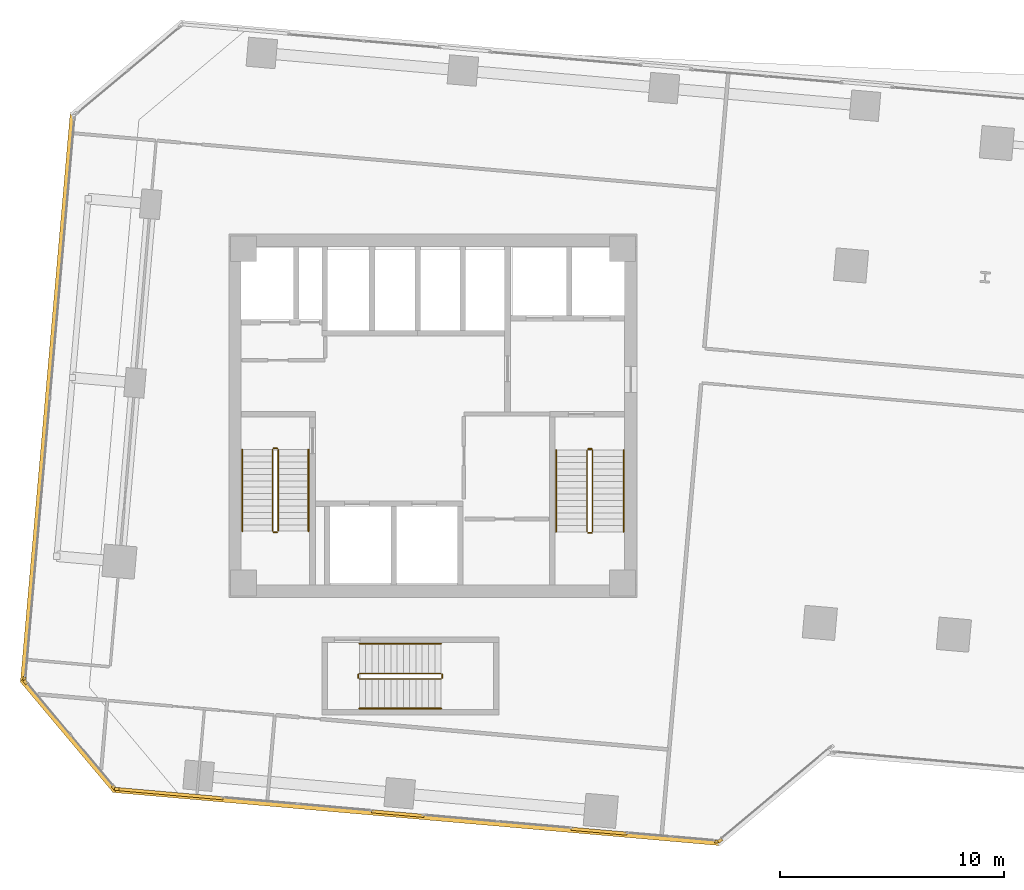
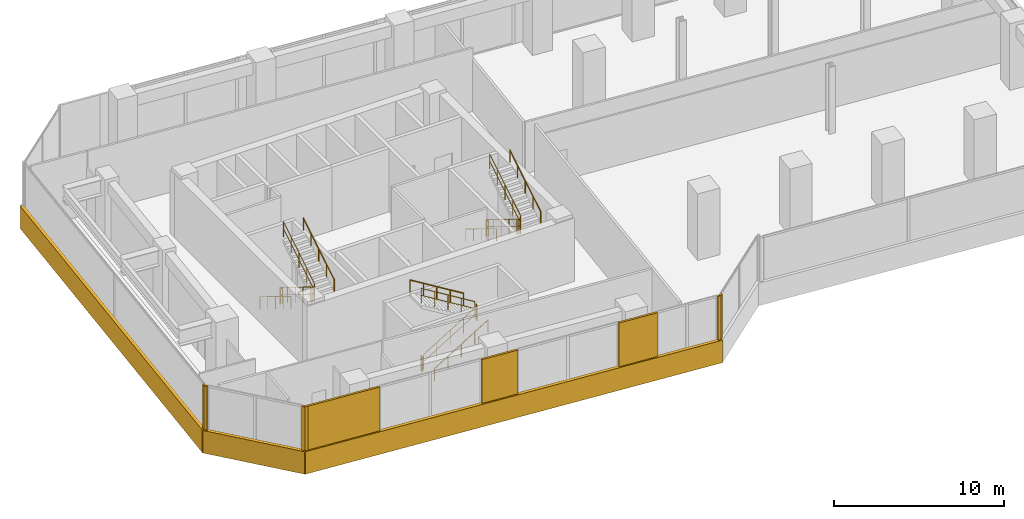
# One storey, part 22 of 24: 18 railings, 12 coverings.
"""IFC4 building model written with IfcOpenShell, lengths in metres."""

from ifc_helpers import new_model, si_unit, direction, frame, origin, origin_2d, place, context, subcontext, project, spatial, rectangle, circle, extrude, source, transform, mapped, material, layer, layer_set, type_object, element, save


model = new_model("IFC4")

# Units and contexts
model_context = context("Model", 3, precision=1e-05, world=origin(), true_north=direction((0.0, 1.0)))
body_context = subcontext(model_context, "Body", "Model", "MODEL_VIEW")
ifc_project = project(units=[si_unit("LENGTHUNIT", "METRE"), si_unit("AREAUNIT", "SQUARE_METRE"), si_unit("VOLUMEUNIT", "CUBIC_METRE"), si_unit("PLANEANGLEUNIT", "RADIAN"), si_unit("MASSUNIT", "GRAM", prefix="KILO")], contexts=[model_context])

# Site, building, storey
site_placement = place(None, origin())
site = spatial("IfcSite", under=ifc_project, at=site_placement, CompositionType="ELEMENT")
building_placement = place(site_placement, origin())
building = spatial("IfcBuilding", under=site, at=building_placement, Name="Torre Montelarca", CompositionType="ELEMENT")
storey_placement = place(building_placement, frame((0.0, 0.0, 47.199951171875)))
storey = spatial("IfcBuildingStorey", under=building, at=storey_placement, Name="L10", CompositionType="ELEMENT", Elevation=47.199951171875)

# Railings
ifc_material_1 = material(Name="Powder-coated steel ASTM A500 Grade C", Category="steel")
railing_type_1 = type_object("IfcRailingType", Name="RL-GUARD-1100", PredefinedType="BALUSTRADE", material=ifc_material_1)
railing_1_placement = place(storey_placement, frame((10.85009765625, 30.5, 0.17138671875)))
element("IfcRailing", 1, at=railing_1_placement, inside=storey, type_object=railing_type_1, Name="L10 ST1 stair guard 1", PredefinedType="BALUSTRADE", context=body_context, shape_type="SweptSolid", body=[
    extrude(circle(Radius=0.02392578125, at=origin_2d()), frame((0.0, 0.0, 1.076171875), z_axis=(0.0, -0.852824790078, 0.522197163366), x_axis=(1.0, 0.0, 0.0)), (0.0, 0.0, 1.0), 4.26806640625),
    extrude(circle(Radius=0.02099609375, at=origin_2d()), frame((0.0, 0.0, 0.572021484375), z_axis=(0.0, -0.852824790078, 0.522197163366), x_axis=(1.0, 0.0, 0.0)), (0.0, 0.0, 1.0), 4.26806640625),
    extrude(circle(Radius=0.02099609375, at=origin_2d()), origin(), (0.0, 0.0, 1.0), 1.052001953125),
    extrude(circle(Radius=0.02099609375, at=origin_2d()), frame((0.0, -0.909912109375, 0.55712890625)), (0.0, 0.0, 1.0), 1.052001953125),
    extrude(circle(Radius=0.02099609375, at=origin_2d()), frame((0.0, -1.81982421875, 1.1142578125)), (0.0, 0.0, 1.0), 1.052001953125),
    extrude(circle(Radius=0.02099609375, at=origin_2d()), frame((0.0, -2.72998046875, 1.671630859375)), (0.0, 0.0, 1.0), 1.052001953125),
    extrude(circle(Radius=0.02099609375, at=origin_2d()), frame((0.0, -3.639892578125, 2.228759765625)), (0.0, 0.0, 1.0), 1.052001953125),
])
railing_2_placement = place(storey_placement, frame((10.89990234375, 26.81005859375, 2.400146484375)))
element("IfcRailing", 2, at=railing_2_placement, inside=storey, type_object=railing_type_1, Name="L10 ST1 stair guard 2", PredefinedType="BALUSTRADE", context=body_context, shape_type="SweptSolid", body=[
    extrude(circle(Radius=0.02392578125, at=origin_2d()), frame((0.0, 0.0, 1.076171875), z_axis=(1.0, 0.0, 0.0), x_axis=(0.0, 1.0, 0.0)), (0.0, 0.0, 1.0), 0.150146484375),
    extrude(circle(Radius=0.02099609375, at=origin_2d()), frame((0.0, 0.0, 0.572021484375), z_axis=(1.0, 0.0, 0.0), x_axis=(0.0, 1.0, 0.0)), (0.0, 0.0, 1.0), 0.150146484375),
    extrude(circle(Radius=0.02099609375, at=origin_2d()), origin(), (0.0, 0.0, 1.0), 1.052001953125),
    extrude(circle(Radius=0.02099609375, at=origin_2d()), frame((0.150146484375, 0.0, 0.0)), (0.0, 0.0, 1.0), 1.052001953125),
])
railing_3_placement = place(storey_placement, frame((11.10009765625, 26.860107421875, 2.571533203125)))
element("IfcRailing", 3, at=railing_3_placement, inside=storey, type_object=railing_type_1, Name="L10 ST1 stair guard 3", PredefinedType="BALUSTRADE", context=body_context, shape_type="SweptSolid", body=[
    extrude(circle(Radius=0.02392578125, at=origin_2d()), frame((0.0, 0.0, 1.076171875), z_axis=(0.0, 0.852850264322, 0.5221555579), x_axis=(-1.0, 0.0, 0.0)), (0.0, 0.0, 1.0), 4.267822265625),
    extrude(circle(Radius=0.02099609375, at=origin_2d()), frame((0.0, 0.0, 0.572021484375), z_axis=(0.0, 0.852850264322, 0.5221555579), x_axis=(-1.0, 0.0, 0.0)), (0.0, 0.0, 1.0), 4.267822265625),
    extrude(circle(Radius=0.02099609375, at=origin_2d()), origin(), (0.0, 0.0, 1.0), 1.052001953125),
    extrude(circle(Radius=0.02099609375, at=origin_2d()), frame((0.0, 0.909912109375, 0.55712890625)), (0.0, 0.0, 1.0), 1.052001953125),
    extrude(circle(Radius=0.02099609375, at=origin_2d()), frame((0.0, 1.81982421875, 1.1142578125)), (0.0, 0.0, 1.0), 1.052001953125),
    extrude(circle(Radius=0.02099609375, at=origin_2d()), frame((0.0, 2.72998046875, 1.67138671875)), (0.0, 0.0, 1.0), 1.052001953125),
    extrude(circle(Radius=0.02099609375, at=origin_2d()), frame((0.0, 3.639892578125, 2.228515625)), (0.0, 0.0, 1.0), 1.052001953125),
])
railing_4_placement = place(storey_placement, frame((10.89990234375, 30.550048828125, 0.0)))
element("IfcRailing", 4, at=railing_4_placement, inside=storey, type_object=railing_type_1, Name="L10 ST1 stair guard 4", PredefinedType="BALUSTRADE", context=body_context, shape_type="SweptSolid", body=[
    extrude(circle(Radius=0.02392578125, at=origin_2d()), frame((0.0, 0.0, 1.076171875), z_axis=(1.0, 0.0, 0.0), x_axis=(0.0, 1.0, 0.0)), (0.0, 0.0, 1.0), 0.150146484375),
    extrude(circle(Radius=0.02099609375, at=origin_2d()), frame((0.0, 0.0, 0.572021484375), z_axis=(1.0, 0.0, 0.0), x_axis=(0.0, 1.0, 0.0)), (0.0, 0.0, 1.0), 0.150146484375),
    extrude(circle(Radius=0.02099609375, at=origin_2d()), origin(), (0.0, 0.0, 1.0), 1.052001953125),
    extrude(circle(Radius=0.02099609375, at=origin_2d()), frame((0.150146484375, 0.0, 0.0)), (0.0, 0.0, 1.0), 1.052001953125),
])
railing_5_placement = place(storey_placement, frame((24.8701171875, 30.469970703125, 0.17138671875)))
element("IfcRailing", 5, at=railing_5_placement, inside=storey, type_object=railing_type_1, Name="L10 ST2 stair guard 1", PredefinedType="BALUSTRADE", context=body_context, shape_type="SweptSolid", body=[
    extrude(circle(Radius=0.02392578125, at=origin_2d()), frame((0.0, 0.0, 1.076171875), z_axis=(0.0, -0.852824790078, 0.522197163366), x_axis=(1.0, 0.0, 0.0)), (0.0, 0.0, 1.0), 4.26806640625),
    extrude(circle(Radius=0.02099609375, at=origin_2d()), frame((0.0, 0.0, 0.572021484375), z_axis=(0.0, -0.852824790078, 0.522197163366), x_axis=(1.0, 0.0, 0.0)), (0.0, 0.0, 1.0), 4.26806640625),
    extrude(circle(Radius=0.02099609375, at=origin_2d()), origin(), (0.0, 0.0, 1.0), 1.052001953125),
    extrude(circle(Radius=0.02099609375, at=origin_2d()), frame((0.0, -0.909912109375, 0.55712890625)), (0.0, 0.0, 1.0), 1.052001953125),
    extrude(circle(Radius=0.02099609375, at=origin_2d()), frame((0.0, -1.81982421875, 1.1142578125)), (0.0, 0.0, 1.0), 1.052001953125),
    extrude(circle(Radius=0.02099609375, at=origin_2d()), frame((0.0, -2.72998046875, 1.671630859375)), (0.0, 0.0, 1.0), 1.052001953125),
    extrude(circle(Radius=0.02099609375, at=origin_2d()), frame((0.0, -3.639892578125, 2.228759765625)), (0.0, 0.0, 1.0), 1.052001953125),
])
railing_6_placement = place(storey_placement, frame((24.919921875, 26.780029296875, 2.400146484375)))
element("IfcRailing", 6, at=railing_6_placement, inside=storey, type_object=railing_type_1, Name="L10 ST2 stair guard 2", PredefinedType="BALUSTRADE", context=body_context, shape_type="SweptSolid", body=[
    extrude(circle(Radius=0.02392578125, at=origin_2d()), frame((0.0, 0.0, 1.076171875), z_axis=(1.0, 0.0, 0.0), x_axis=(0.0, 1.0, 0.0)), (0.0, 0.0, 1.0), 0.150146484375),
    extrude(circle(Radius=0.02099609375, at=origin_2d()), frame((0.0, 0.0, 0.572021484375), z_axis=(1.0, 0.0, 0.0), x_axis=(0.0, 1.0, 0.0)), (0.0, 0.0, 1.0), 0.150146484375),
    extrude(circle(Radius=0.02099609375, at=origin_2d()), origin(), (0.0, 0.0, 1.0), 1.052001953125),
    extrude(circle(Radius=0.02099609375, at=origin_2d()), frame((0.150146484375, 0.0, 0.0)), (0.0, 0.0, 1.0), 1.052001953125),
])
railing_7_placement = place(storey_placement, frame((25.1201171875, 26.830078125, 2.571533203125)))
element("IfcRailing", 7, at=railing_7_placement, inside=storey, type_object=railing_type_1, Name="L10 ST2 stair guard 3", PredefinedType="BALUSTRADE", context=body_context, shape_type="SweptSolid", body=[
    extrude(circle(Radius=0.02392578125, at=origin_2d()), frame((0.0, 0.0, 1.076171875), z_axis=(0.0, 0.852850264322, 0.5221555579), x_axis=(-1.0, 0.0, 0.0)), (0.0, 0.0, 1.0), 4.267822265625),
    extrude(circle(Radius=0.02099609375, at=origin_2d()), frame((0.0, 0.0, 0.572021484375), z_axis=(0.0, 0.852850264322, 0.5221555579), x_axis=(-1.0, 0.0, 0.0)), (0.0, 0.0, 1.0), 4.267822265625),
    extrude(circle(Radius=0.02099609375, at=origin_2d()), origin(), (0.0, 0.0, 1.0), 1.052001953125),
    extrude(circle(Radius=0.02099609375, at=origin_2d()), frame((0.0, 0.909912109375, 0.55712890625)), (0.0, 0.0, 1.0), 1.052001953125),
    extrude(circle(Radius=0.02099609375, at=origin_2d()), frame((0.0, 1.81982421875, 1.1142578125)), (0.0, 0.0, 1.0), 1.052001953125),
    extrude(circle(Radius=0.02099609375, at=origin_2d()), frame((0.0, 2.72998046875, 1.67138671875)), (0.0, 0.0, 1.0), 1.052001953125),
    extrude(circle(Radius=0.02099609375, at=origin_2d()), frame((0.0, 3.639892578125, 2.228515625)), (0.0, 0.0, 1.0), 1.052001953125),
])
railing_8_placement = place(storey_placement, frame((24.919921875, 30.52001953125, 0.0)))
element("IfcRailing", 8, at=railing_8_placement, inside=storey, type_object=railing_type_1, Name="L10 ST2 stair guard 4", PredefinedType="BALUSTRADE", context=body_context, shape_type="SweptSolid", body=[
    extrude(circle(Radius=0.02392578125, at=origin_2d()), frame((0.0, 0.0, 1.076171875), z_axis=(1.0, 0.0, 0.0), x_axis=(0.0, 1.0, 0.0)), (0.0, 0.0, 1.0), 0.150146484375),
    extrude(circle(Radius=0.02099609375, at=origin_2d()), frame((0.0, 0.0, 0.572021484375), z_axis=(1.0, 0.0, 0.0), x_axis=(0.0, 1.0, 0.0)), (0.0, 0.0, 1.0), 0.150146484375),
    extrude(circle(Radius=0.02099609375, at=origin_2d()), origin(), (0.0, 0.0, 1.0), 1.052001953125),
    extrude(circle(Radius=0.02099609375, at=origin_2d()), frame((0.150146484375, 0.0, 0.0)), (0.0, 0.0, 1.0), 1.052001953125),
])
railing_9_placement = place(storey_placement, frame((14.719970703125, 20.27001953125, 0.17138671875)))
element("IfcRailing", 9, at=railing_9_placement, inside=storey, type_object=railing_type_1, Name="L10 ST3 stair guard 1", PredefinedType="BALUSTRADE", context=body_context, shape_type="SweptSolid", body=[
    extrude(circle(Radius=0.02392578125, at=origin_2d()), frame((0.0, 0.0, 1.076171875), z_axis=(0.852840387347, 0.0, 0.522171689878), x_axis=(0.0, 1.0, 0.0)), (0.0, 0.0, 1.0), 4.268310546875),
    extrude(circle(Radius=0.02099609375, at=origin_2d()), frame((0.0, 0.0, 0.572021484375), z_axis=(0.852840387347, 0.0, 0.522171689878), x_axis=(0.0, 1.0, 0.0)), (0.0, 0.0, 1.0), 4.268310546875),
    extrude(circle(Radius=0.02099609375, at=origin_2d()), origin(), (0.0, 0.0, 1.0), 1.052001953125),
    extrude(circle(Radius=0.02099609375, at=origin_2d()), frame((0.91015625, 0.0, 0.55712890625)), (0.0, 0.0, 1.0), 1.052001953125),
    extrude(circle(Radius=0.02099609375, at=origin_2d()), frame((1.820068359375, 0.0, 1.1142578125)), (0.0, 0.0, 1.0), 1.052001953125),
    extrude(circle(Radius=0.02099609375, at=origin_2d()), frame((2.72998046875, 0.0, 1.671630859375)), (0.0, 0.0, 1.0), 1.052001953125),
    extrude(circle(Radius=0.02099609375, at=origin_2d()), frame((3.64013671875, 0.0, 2.228759765625)), (0.0, 0.0, 1.0), 1.052001953125),
])
railing_10_placement = place(storey_placement, frame((18.409912109375, 20.320068359375, 2.400146484375)))
element("IfcRailing", 10, at=railing_10_placement, inside=storey, type_object=railing_type_1, Name="L10 ST3 stair guard 2", PredefinedType="BALUSTRADE", context=body_context, shape_type="SweptSolid", body=[
    extrude(circle(Radius=0.02392578125, at=origin_2d()), frame((0.0, 0.0, 1.076171875), z_axis=(0.0, 1.0, 0.0), x_axis=(-1.0, 0.0, 0.0)), (0.0, 0.0, 1.0), 0.14990234375),
    extrude(circle(Radius=0.02099609375, at=origin_2d()), frame((0.0, 0.0, 0.572021484375), z_axis=(0.0, 1.0, 0.0), x_axis=(-1.0, 0.0, 0.0)), (0.0, 0.0, 1.0), 0.14990234375),
    extrude(circle(Radius=0.02099609375, at=origin_2d()), origin(), (0.0, 0.0, 1.0), 1.052001953125),
    extrude(circle(Radius=0.02099609375, at=origin_2d()), frame((0.0, 0.14990234375, 0.0)), (0.0, 0.0, 1.0), 1.052001953125),
])
railing_11_placement = place(storey_placement, frame((18.360107421875, 20.52001953125, 2.571533203125)))
element("IfcRailing", 11, at=railing_11_placement, inside=storey, type_object=railing_type_1, Name="L10 ST3 stair guard 3", PredefinedType="BALUSTRADE", context=body_context, shape_type="SweptSolid", body=[
    extrude(circle(Radius=0.02392578125, at=origin_2d()), frame((0.0, 0.0, 1.076171875), z_axis=(-0.852865859571, 0.0, 0.52213008492), x_axis=(0.0, -1.0, 0.0)), (0.0, 0.0, 1.0), 4.26806640625),
    extrude(circle(Radius=0.02099609375, at=origin_2d()), frame((0.0, 0.0, 0.572021484375), z_axis=(-0.852865859571, 0.0, 0.52213008492), x_axis=(0.0, -1.0, 0.0)), (0.0, 0.0, 1.0), 4.26806640625),
    extrude(circle(Radius=0.02099609375, at=origin_2d()), origin(), (0.0, 0.0, 1.0), 1.052001953125),
    extrude(circle(Radius=0.02099609375, at=origin_2d()), frame((-0.91015625, 0.0, 0.55712890625)), (0.0, 0.0, 1.0), 1.052001953125),
    extrude(circle(Radius=0.02099609375, at=origin_2d()), frame((-1.820068359375, 0.0, 1.1142578125)), (0.0, 0.0, 1.0), 1.052001953125),
    extrude(circle(Radius=0.02099609375, at=origin_2d()), frame((-2.72998046875, 0.0, 1.67138671875)), (0.0, 0.0, 1.0), 1.052001953125),
    extrude(circle(Radius=0.02099609375, at=origin_2d()), frame((-3.64013671875, 0.0, 2.228515625)), (0.0, 0.0, 1.0), 1.052001953125),
])
railing_12_placement = place(storey_placement, frame((14.669921875, 20.320068359375, 0.0)))
element("IfcRailing", 12, at=railing_12_placement, inside=storey, type_object=railing_type_1, Name="L10 ST3 stair guard 4", PredefinedType="BALUSTRADE", context=body_context, shape_type="SweptSolid", body=[
    extrude(circle(Radius=0.02392578125, at=origin_2d()), frame((0.0, 0.0, 1.076171875), z_axis=(0.0, 1.0, 0.0), x_axis=(-1.0, 0.0, 0.0)), (0.0, 0.0, 1.0), 0.14990234375),
    extrude(circle(Radius=0.02099609375, at=origin_2d()), frame((0.0, 0.0, 0.572021484375), z_axis=(0.0, 1.0, 0.0), x_axis=(-1.0, 0.0, 0.0)), (0.0, 0.0, 1.0), 0.14990234375),
    extrude(circle(Radius=0.02099609375, at=origin_2d()), origin(), (0.0, 0.0, 1.0), 1.052001953125),
    extrude(circle(Radius=0.02099609375, at=origin_2d()), frame((0.0, 0.14990234375, 0.0)), (0.0, 0.0, 1.0), 1.052001953125),
])
ifc_material_2 = material(Name="Brushed stainless steel AISI 316", Category="steel")
railing_type_2 = type_object("IfcRailingType", Name="RL-HANDRAIL-900", PredefinedType="HANDRAIL", material=ifc_material_2)
railing_13_placement = place(storey_placement, frame((9.5, 30.5, 0.17138671875)))
element("IfcRailing", 13, at=railing_13_placement, inside=storey, type_object=railing_type_2, Name="L10 ST1 stair handrail 1", PredefinedType="HANDRAIL", context=body_context, shape_type="SweptSolid", body=[
    extrude(circle(Radius=0.02392578125, at=origin_2d()), frame((0.0, 0.0, 0.8759765625), z_axis=(0.0, -0.852824790078, 0.522197163366), x_axis=(1.0, 0.0, 0.0)), (0.0, 0.0, 1.0), 4.26806640625),
    extrude(circle(Radius=0.02099609375, at=origin_2d()), origin(), (0.0, 0.0, 1.0), 0.851806640625),
    extrude(circle(Radius=0.02099609375, at=origin_2d()), frame((0.0, -0.909912109375, 0.55712890625)), (0.0, 0.0, 1.0), 0.851806640625),
    extrude(circle(Radius=0.02099609375, at=origin_2d()), frame((0.0, -1.81982421875, 1.1142578125)), (0.0, 0.0, 1.0), 0.851806640625),
    extrude(circle(Radius=0.02099609375, at=origin_2d()), frame((0.0, -2.72998046875, 1.671630859375)), (0.0, 0.0, 1.0), 0.851806640625),
    extrude(circle(Radius=0.02099609375, at=origin_2d()), frame((0.0, -3.639892578125, 2.228759765625)), (0.0, 0.0, 1.0), 0.851806640625),
])
railing_14_placement = place(storey_placement, frame((12.449951171875, 26.860107421875, 2.571533203125)))
element("IfcRailing", 14, at=railing_14_placement, inside=storey, type_object=railing_type_2, Name="L10 ST1 stair handrail 2", PredefinedType="HANDRAIL", context=body_context, shape_type="SweptSolid", body=[
    extrude(circle(Radius=0.02392578125, at=origin_2d()), frame((0.0, 0.0, 0.8759765625), z_axis=(0.0, 0.852850264322, 0.5221555579), x_axis=(-1.0, 0.0, 0.0)), (0.0, 0.0, 1.0), 4.267822265625),
    extrude(circle(Radius=0.02099609375, at=origin_2d()), origin(), (0.0, 0.0, 1.0), 0.851806640625),
    extrude(circle(Radius=0.02099609375, at=origin_2d()), frame((0.0, 0.909912109375, 0.55712890625)), (0.0, 0.0, 1.0), 0.851806640625),
    extrude(circle(Radius=0.02099609375, at=origin_2d()), frame((0.0, 1.81982421875, 1.1142578125)), (0.0, 0.0, 1.0), 0.851806640625),
    extrude(circle(Radius=0.02099609375, at=origin_2d()), frame((0.0, 2.72998046875, 1.67138671875)), (0.0, 0.0, 1.0), 0.851806640625),
    extrude(circle(Radius=0.02099609375, at=origin_2d()), frame((0.0, 3.639892578125, 2.228515625)), (0.0, 0.0, 1.0), 0.851806640625),
])
railing_15_placement = place(storey_placement, frame((23.489990234375, 30.469970703125, 0.17138671875)))
element("IfcRailing", 15, at=railing_15_placement, inside=storey, type_object=railing_type_2, Name="L10 ST2 stair handrail 1", PredefinedType="HANDRAIL", context=body_context, shape_type="SweptSolid", body=[
    extrude(circle(Radius=0.02392578125, at=origin_2d()), frame((0.0, 0.0, 0.8759765625), z_axis=(0.0, -0.852824790078, 0.522197163366), x_axis=(1.0, 0.0, 0.0)), (0.0, 0.0, 1.0), 4.26806640625),
    extrude(circle(Radius=0.02099609375, at=origin_2d()), origin(), (0.0, 0.0, 1.0), 0.851806640625),
    extrude(circle(Radius=0.02099609375, at=origin_2d()), frame((0.0, -0.909912109375, 0.55712890625)), (0.0, 0.0, 1.0), 0.851806640625),
    extrude(circle(Radius=0.02099609375, at=origin_2d()), frame((0.0, -1.81982421875, 1.1142578125)), (0.0, 0.0, 1.0), 0.851806640625),
    extrude(circle(Radius=0.02099609375, at=origin_2d()), frame((0.0, -2.72998046875, 1.671630859375)), (0.0, 0.0, 1.0), 0.851806640625),
    extrude(circle(Radius=0.02099609375, at=origin_2d()), frame((0.0, -3.639892578125, 2.228759765625)), (0.0, 0.0, 1.0), 0.851806640625),
])
railing_16_placement = place(storey_placement, frame((26.5, 26.830078125, 2.571533203125)))
element("IfcRailing", 16, at=railing_16_placement, inside=storey, type_object=railing_type_2, Name="L10 ST2 stair handrail 2", PredefinedType="HANDRAIL", context=body_context, shape_type="SweptSolid", body=[
    extrude(circle(Radius=0.02392578125, at=origin_2d()), frame((0.0, 0.0, 0.8759765625), z_axis=(0.0, 0.852850264322, 0.5221555579), x_axis=(-1.0, 0.0, 0.0)), (0.0, 0.0, 1.0), 4.267822265625),
    extrude(circle(Radius=0.02099609375, at=origin_2d()), origin(), (0.0, 0.0, 1.0), 0.851806640625),
    extrude(circle(Radius=0.02099609375, at=origin_2d()), frame((0.0, 0.909912109375, 0.55712890625)), (0.0, 0.0, 1.0), 0.851806640625),
    extrude(circle(Radius=0.02099609375, at=origin_2d()), frame((0.0, 1.81982421875, 1.1142578125)), (0.0, 0.0, 1.0), 0.851806640625),
    extrude(circle(Radius=0.02099609375, at=origin_2d()), frame((0.0, 2.72998046875, 1.67138671875)), (0.0, 0.0, 1.0), 0.851806640625),
    extrude(circle(Radius=0.02099609375, at=origin_2d()), frame((0.0, 3.639892578125, 2.228515625)), (0.0, 0.0, 1.0), 0.851806640625),
])
railing_17_placement = place(storey_placement, frame((14.719970703125, 18.949951171875, 0.17138671875)))
element("IfcRailing", 17, at=railing_17_placement, inside=storey, type_object=railing_type_2, Name="L10 ST3 stair handrail 1", PredefinedType="HANDRAIL", context=body_context, shape_type="SweptSolid", body=[
    extrude(circle(Radius=0.02392578125, at=origin_2d()), frame((0.0, 0.0, 0.8759765625), z_axis=(0.852840387347, 0.0, 0.522171689878), x_axis=(0.0, 1.0, 0.0)), (0.0, 0.0, 1.0), 4.268310546875),
    extrude(circle(Radius=0.02099609375, at=origin_2d()), origin(), (0.0, 0.0, 1.0), 0.851806640625),
    extrude(circle(Radius=0.02099609375, at=origin_2d()), frame((0.91015625, 0.0, 0.55712890625)), (0.0, 0.0, 1.0), 0.851806640625),
    extrude(circle(Radius=0.02099609375, at=origin_2d()), frame((1.820068359375, 0.0, 1.1142578125)), (0.0, 0.0, 1.0), 0.851806640625),
    extrude(circle(Radius=0.02099609375, at=origin_2d()), frame((2.72998046875, 0.0, 1.671630859375)), (0.0, 0.0, 1.0), 0.851806640625),
    extrude(circle(Radius=0.02099609375, at=origin_2d()), frame((3.64013671875, 0.0, 2.228759765625)), (0.0, 0.0, 1.0), 0.851806640625),
])
railing_18_placement = place(storey_placement, frame((18.360107421875, 21.840087890625, 2.571533203125)))
element("IfcRailing", 18, at=railing_18_placement, inside=storey, type_object=railing_type_2, Name="L10 ST3 stair handrail 2", PredefinedType="HANDRAIL", context=body_context, shape_type="SweptSolid", body=[
    extrude(circle(Radius=0.02392578125, at=origin_2d()), frame((0.0, 0.0, 0.8759765625), z_axis=(-0.852865859571, 0.0, 0.52213008492), x_axis=(0.0, -1.0, 0.0)), (0.0, 0.0, 1.0), 4.26806640625),
    extrude(circle(Radius=0.02099609375, at=origin_2d()), origin(), (0.0, 0.0, 1.0), 0.851806640625),
    extrude(circle(Radius=0.02099609375, at=origin_2d()), frame((-0.91015625, 0.0, 0.55712890625)), (0.0, 0.0, 1.0), 0.851806640625),
    extrude(circle(Radius=0.02099609375, at=origin_2d()), frame((-1.820068359375, 0.0, 1.1142578125)), (0.0, 0.0, 1.0), 0.851806640625),
    extrude(circle(Radius=0.02099609375, at=origin_2d()), frame((-2.72998046875, 0.0, 1.67138671875)), (0.0, 0.0, 1.0), 0.851806640625),
    extrude(circle(Radius=0.02099609375, at=origin_2d()), frame((-3.64013671875, 0.0, 2.228515625)), (0.0, 0.0, 1.0), 0.851806640625),
])

# Coverings
ifc_material_3 = material(Name="Bush-hammered warm white precast concrete C45/55", Category="concrete")
ifc_layer = layer(ifc_material_3, 0.139892578125, Name="Bush-hammered warm white precast concrete C45/55", Category="concrete")
ifc_layer_set = layer_set([ifc_layer], Name="Bush-hammered warm white precast concrete C45/55")
covering_type = type_object("IfcCoveringType", Name="COV-TRAY-CLAD", PredefinedType="CLADDING", material=ifc_layer_set)
shared_shape_1 = source(origin(), body_context, "Body", "SweptSolid", [
    extrude(rectangle(XDim=2.360107421875, YDim=0.139892578125, at=origin_2d()), origin(), (0.0, 0.0, 1.0), 4.320068359375),
])
covering_1_placement = place(storey_placement, frame((16.434814453125, 14.263916015625, 0.0), z_axis=(0.0, 0.0, 1.0), x_axis=(0.996194545975, -0.087157481435, 0.0)))
element("IfcCovering", 19, at=covering_1_placement, inside=storey, type_object=covering_type, Name="L10 Architectural Column Pier Cladding E01-3", PredefinedType="CLADDING", context=body_context, shape_type="MappedRepresentation", body=[
    mapped(shared_shape_1, transform((0.0, 0.0, 0.0), scale=1.0)),
])
shared_shape_2 = source(origin(), body_context, "Body", "SweptSolid", [
    extrude(rectangle(XDim=2.510009765625, YDim=0.139892578125, at=origin_2d()), origin(), (0.0, 0.0, 1.0), 4.320068359375),
])
covering_2_placement = place(storey_placement, frame((25.400634765625, 13.4794921875, 0.0), z_axis=(0.0, 0.0, 1.0), x_axis=(0.996194545975, -0.087157481435, 0.0)))
element("IfcCovering", 20, at=covering_2_placement, inside=storey, type_object=covering_type, Name="L10 Architectural Column Pier Cladding E01-4", PredefinedType="CLADDING", context=body_context, shape_type="MappedRepresentation", body=[
    mapped(shared_shape_2, transform((0.0, 0.0, 0.0), scale=1.0)),
])
shared_shape_3 = source(origin(), body_context, "Body", "SweptSolid", [
    extrude(rectangle(XDim=0.199951171875, YDim=0.139892578125, at=origin_2d()), origin(), (0.0, 0.0, 1.0), 4.320068359375),
])
for number, where, z_axis, x_axis, name in (
    (21, (3.898681640625, 15.36083984375, 0.0), (0.0, 0.0, 1.0), (0.996194545975, -0.087157481435, 0.0), "L10 Architectural Column Pier Cladding E01-1"),
    (22, (30.664794921875, 13.01904296875, 0.0), (0.0, 0.0, 1.0), (0.996194545975, -0.087157481435, 0.0), "L10 Architectural Column Pier Cladding E01-5"),
    (23, (30.80322265625, 13.062744140625, 0.0), (0.0, 0.0, 1.0), (0.766048930604, 0.642782261672, 0.0), "L10 Architectural Column Pier Cladding E02-1"),
    (24, (-0.215576171875, 20.263916015625, 0.0), (0.0, 0.0, 1.0), (-0.08716095881, -0.996194241732, 0.0), "L10 Architectural Column Pier Cladding E10-2"),
    (25, (-0.171875, 20.12548828125, 0.0), (0.0, 0.0, 1.0), (0.642794294661, -0.76603883371, 0.0), "L10 Architectural Column Pier Cladding E11-1"),
    (26, (3.77001953125, 15.427734375, 0.0), (0.0, 0.0, 1.0), (0.642794294661, -0.76603883371, 0.0), "L10 Architectural Column Pier Cladding E11-2"),
):
    element("IfcCovering", number, at=place(storey_placement, frame(where, z_axis=z_axis, x_axis=x_axis)), inside=storey, type_object=covering_type, Name=name, PredefinedType="CLADDING", context=body_context, shape_type="MappedRepresentation", body=[
        mapped(shared_shape_3, transform((0.0, 0.0, 0.0), scale=1.0)),
    ])
shared_shape_4 = source(origin(), body_context, "Body", "SweptSolid", [
    extrude(rectangle(XDim=4.76416015625, YDim=0.139892578125, at=origin_2d()), origin(), (0.0, 0.0, 1.0), 4.320068359375),
])
covering_3_placement = place(storey_placement, frame((6.271728515625, 15.1533203125, 0.0), z_axis=(0.0, 0.0, 1.0), x_axis=(0.996194545975, -0.087157481435, 0.0)))
element("IfcCovering", 27, at=covering_3_placement, inside=storey, type_object=covering_type, Name="L10 Architectural Column Pier Cladding E01-2", PredefinedType="CLADDING", context=body_context, shape_type="MappedRepresentation", body=[
    mapped(shared_shape_4, transform((0.0, 0.0, 0.0), scale=1.0)),
])
shared_shape_5 = source(origin(), body_context, "Body", "SweptSolid", [
    extrude(rectangle(XDim=6.48388671875, YDim=0.219970703125, at=origin_2d()), origin(), (0.0, 0.0, 1.0), 1.6201171875),
])
covering_4_placement = place(storey_placement, frame((1.7529296875, 17.738037109375, -0.449951171875), z_axis=(0.0, 0.0, 1.0), x_axis=(0.642787609687, -0.766044443119, 0.0)))
element("IfcCovering", 28, at=covering_4_placement, inside=storey, type_object=covering_type, Name="L10 Architectural White Spandrel Tray Band TRYBOT-11", PredefinedType="CLADDING", context=body_context, shape_type="MappedRepresentation", body=[
    mapped(shared_shape_5, transform((0.0, 0.0, 0.0), scale=1.0)),
])
shared_shape_6 = source(origin(), body_context, "Body", "SweptSolid", [
    extrude(rectangle(XDim=25.52001953125, YDim=0.219970703125, at=origin_2d()), origin(), (0.0, 0.0, 1.0), 1.6201171875),
])
covering_5_placement = place(storey_placement, frame((0.821533203125, 32.805419921875, -0.449951171875), z_axis=(0.0, 0.0, 1.0), x_axis=(-0.087157481435, -0.996194545975, 0.0)))
element("IfcCovering", 29, at=covering_5_placement, inside=storey, type_object=covering_type, Name="L10 Architectural White Spandrel Tray Band TRYBOT-10", PredefinedType="CLADDING", context=body_context, shape_type="MappedRepresentation", body=[
    mapped(shared_shape_6, transform((0.0, 0.0, 0.0), scale=1.0)),
])
shared_shape_7 = source(origin(), body_context, "Body", "SweptSolid", [
    extrude(rectangle(XDim=27.219970703125, YDim=0.219970703125, at=origin_2d()), origin(), (0.0, 0.0, 1.0), 1.6201171875),
])
covering_6_placement = place(storey_placement, frame((17.276611328125, 14.130126953125, -0.449951171875), z_axis=(0.0, 0.0, 1.0), x_axis=(0.996194698092, -0.087155742748, 0.0)))
element("IfcCovering", 30, at=covering_6_placement, inside=storey, type_object=covering_type, Name="L10 Architectural White Spandrel Tray Band TRYBOT-01", PredefinedType="CLADDING", context=body_context, shape_type="MappedRepresentation", body=[
    mapped(shared_shape_7, transform((0.0, 0.0, 0.0), scale=1.0)),
])

save(model, "model.ifc")
